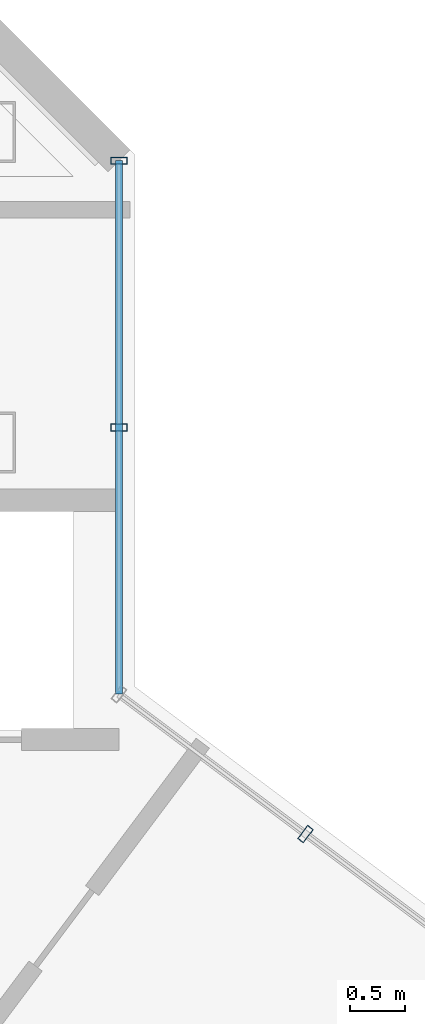
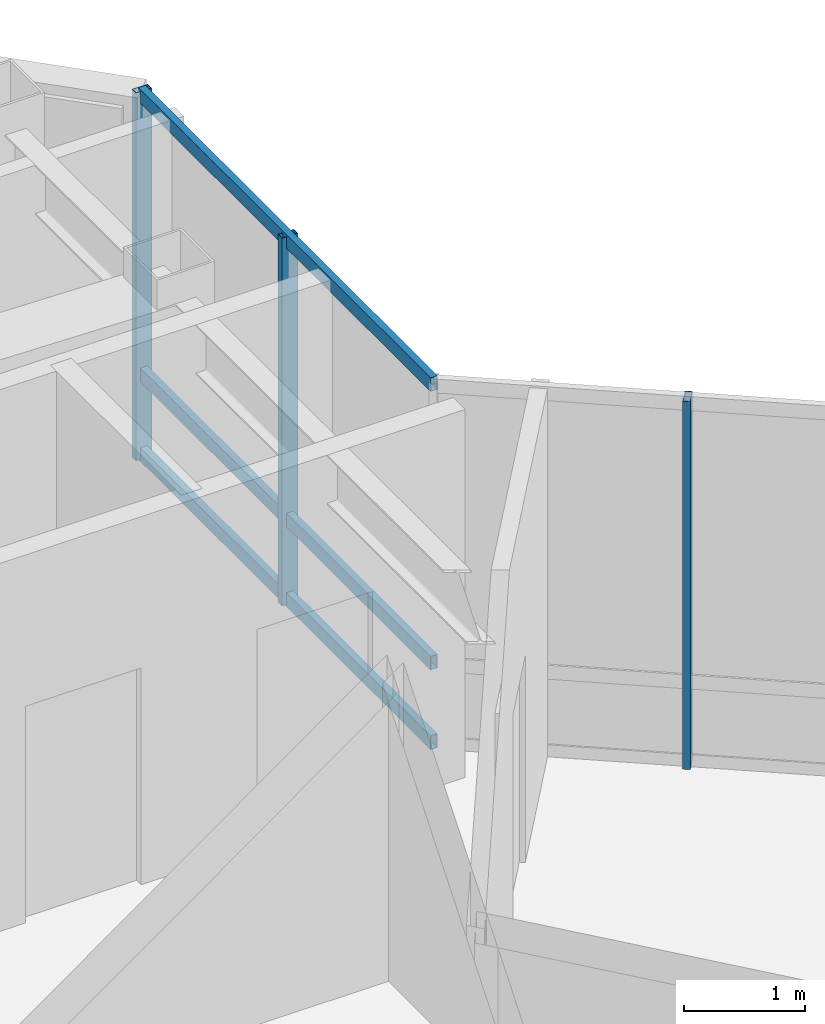
# One storey, part 15 of 24: 6 members, 2 elements without a shape of their own.
"""IFC4 building model written with IfcOpenShell, lengths in metres."""

from ifc_helpers import new_model, si_unit, direction, frame, origin, origin_2d, place, context, subcontext, project, spatial, hollow_rectangle, extrude, material, layer, layer_set, material_profile, profile_set, type_object, element, aggregate, save


model = new_model("IFC4")

# Units and contexts
model_context = context("Model", 3, precision=1e-05, world=origin(), true_north=direction((0.0, 1.0)))
body_context = subcontext(model_context, "Body", "Model", "MODEL_VIEW")
ifc_project = project(units=[si_unit("LENGTHUNIT", "METRE"), si_unit("AREAUNIT", "SQUARE_METRE"), si_unit("VOLUMEUNIT", "CUBIC_METRE"), si_unit("PLANEANGLEUNIT", "RADIAN"), si_unit("MASSUNIT", "GRAM", prefix="KILO")], contexts=[model_context])

# Site, building, storey
site_placement = place(None, origin())
site = spatial("IfcSite", under=ifc_project, at=site_placement, CompositionType="ELEMENT")
building_placement = place(site_placement, origin())
building = spatial("IfcBuilding", under=site, at=building_placement, Name="Hatsunagi Terrace Concourse", CompositionType="ELEMENT")
storey_placement = place(building_placement, frame((0.0, 0.0, 285.949951171875)))
storey = spatial("IfcBuildingStorey", under=building, at=storey_placement, Name="L75", CompositionType="ELEMENT", Elevation=285.949951171875)

# Curtain wall, member
ifc_material_1 = material(Name="Anodised Aluminium Alloy 6063-T5", Category="aluminium")
ifc_layer = layer(ifc_material_1, 0.199951171875)
ifc_layer_set = layer_set([ifc_layer], Name="CrownWintergarden_CW06")
curtain_wall_type = type_object("IfcCurtainWallType", Name="CrownWintergarden_CW06", PredefinedType="NOTDEFINED", material=ifc_layer_set)
curtain_wall_1_placement = place(storey_placement, origin())
curtain_wall_1 = element("IfcCurtainWall", 1, at=curtain_wall_1_placement, inside=storey, type_object=curtain_wall_type, Name="Unitised Curtain Wall CW-06 CW-L75-01", PredefinedType="NOTDEFINED")
ifc_material_2 = material(Name="Anodised Aluminium Alloy 6063-T5", Category="aluminium")
ifc_material_profile_1 = material_profile(ifc_material_2, hollow_rectangle(XDim=0.06494140625, YDim=0.14990234375, WallThickness=0.00390625, at=origin_2d()), Name="ALU-MUL-150x65x4")
ifc_profile_set_1 = profile_set([ifc_material_profile_1], Name="Anodised Aluminium Alloy 6063-T5")
member_type_1 = type_object("IfcMemberType", Name="CurtainWallMullion_Crown_150x65", PredefinedType="MULLION", material=ifc_profile_set_1)
member_1_placement = place(storey_placement, frame((46.54296875, 39.468017578125, 0.0), z_axis=(0.0, 0.0, 1.0), x_axis=(0.800028248794, -0.599962333093, 0.0)))
member_1 = element("IfcMember", 2, at=member_1_placement, type_object=member_type_1, Name="Curtain Wall Mullion MUL-03", PredefinedType="MULLION", context=body_context, shape_type="SweptSolid", body=[
    extrude(hollow_rectangle(XDim=0.06494140625, YDim=0.14990234375, WallThickness=0.00390625, at=origin_2d()), origin(), (0.0, 0.0, 1.0), 3.699951171875),
])
aggregate(curtain_wall_1, [member_1])

# Curtain wall, members
curtain_wall_2_placement = place(storey_placement, origin())
curtain_wall_2 = element("IfcCurtainWall", 3, at=curtain_wall_2_placement, inside=storey, type_object=curtain_wall_type, Name="Unitised Curtain Wall CW-06 CW-L75-11", PredefinedType="NOTDEFINED")
member_2_placement = place(storey_placement, frame((44.860107421875, 45.5419921875, 0.0), z_axis=(0.0, 0.0, 1.0), x_axis=(0.0, -1.0, 0.0)))
member_2 = element("IfcMember", 4, at=member_2_placement, type_object=member_type_1, Name="Curtain Wall Mullion MUL-03", PredefinedType="MULLION", context=body_context, shape_type="SweptSolid", body=[
    extrude(hollow_rectangle(XDim=0.06494140625, YDim=0.14990234375, WallThickness=0.00390625, at=origin_2d()), origin(), (0.0, 0.0, 1.0), 3.699951171875),
])
member_3_placement = place(storey_placement, frame((44.860107421875, 43.135986328125, 0.0), z_axis=(0.0, 0.0, 1.0), x_axis=(0.0, -1.0, 0.0)))
member_3 = element("IfcMember", 5, at=member_3_placement, type_object=member_type_1, Name="Curtain Wall Mullion MUL-03", PredefinedType="MULLION", context=body_context, shape_type="SweptSolid", body=[
    extrude(hollow_rectangle(XDim=0.06494140625, YDim=0.14990234375, WallThickness=0.00390625, at=origin_2d()), origin(), (0.0, 0.0, 1.0), 3.699951171875),
])
ifc_material_3 = material(Name="Anodised Aluminium Alloy 6063-T5", Category="aluminium")
ifc_material_profile_2 = material_profile(ifc_material_3, hollow_rectangle(XDim=0.06494140625, YDim=0.139892578125, WallThickness=0.00390625, at=origin_2d()), Name="ALU-TRN-140x65x4")
ifc_profile_set_2 = profile_set([ifc_material_profile_2], Name="Anodised Aluminium Alloy 6063-T5")
member_type_2 = type_object("IfcMemberType", Name="CurtainWallTransom_140x65", PredefinedType="USERDEFINED", material=ifc_profile_set_2)
member_4_placement = place(storey_placement, frame((44.860107421875, 45.5419921875, 0.050048828125), z_axis=(0.0, -1.0, 0.0), x_axis=(1.0, 0.0, 0.0)))
member_4 = element("IfcMember", 6, at=member_4_placement, type_object=member_type_2, Name="Curtain Wall Transom TRN-02", ObjectType="TRANSOM", PredefinedType="USERDEFINED", context=body_context, shape_type="SweptSolid", body=[
    extrude(hollow_rectangle(XDim=0.06494140625, YDim=0.139892578125, WallThickness=0.00390625, at=origin_2d()), origin(), (0.0, 0.0, 1.0), 4.81201171875),
])
member_5_placement = place(storey_placement, frame((44.860107421875, 45.5419921875, 0.85009765625), z_axis=(0.0, -1.0, 0.0), x_axis=(1.0, 0.0, 0.0)))
member_5 = element("IfcMember", 7, at=member_5_placement, type_object=member_type_2, Name="Curtain Wall Transom TRN-02", ObjectType="TRANSOM", PredefinedType="USERDEFINED", context=body_context, shape_type="SweptSolid", body=[
    extrude(hollow_rectangle(XDim=0.06494140625, YDim=0.139892578125, WallThickness=0.00390625, at=origin_2d()), origin(), (0.0, 0.0, 1.0), 4.81201171875),
])
member_6_placement = place(storey_placement, frame((44.860107421875, 45.5419921875, 3.650146484375), z_axis=(0.0, -1.0, 0.0), x_axis=(1.0, 0.0, 0.0)))
member_6 = element("IfcMember", 8, at=member_6_placement, type_object=member_type_2, Name="Curtain Wall Transom TRN-02", ObjectType="TRANSOM", PredefinedType="USERDEFINED", context=body_context, shape_type="SweptSolid", body=[
    extrude(hollow_rectangle(XDim=0.06494140625, YDim=0.139892578125, WallThickness=0.00390625, at=origin_2d()), origin(), (0.0, 0.0, 1.0), 4.81201171875),
])
aggregate(curtain_wall_2, [member_2, member_3, member_4, member_5, member_6])

save(model, "model.ifc")
